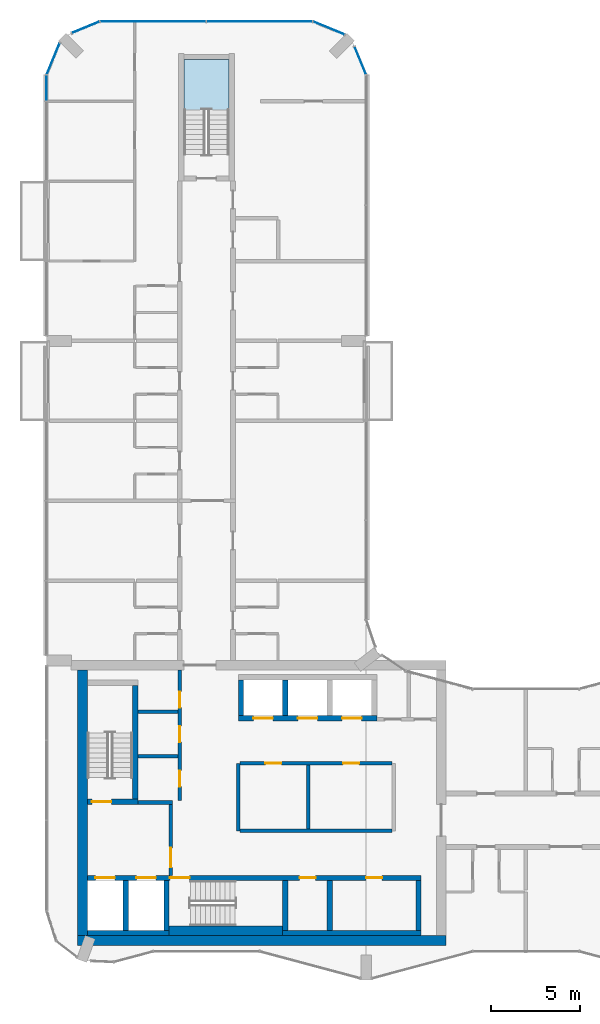
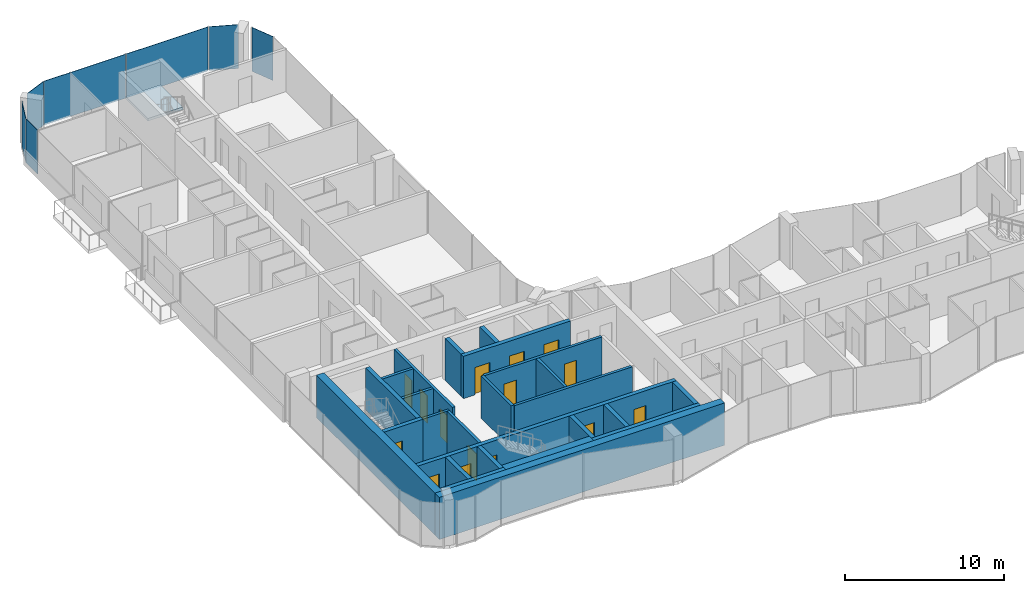
# One storey, part 9 of 15: 25 walls, 15 doors, 7 plates, 1 slab, 15 openings, 7 elements without a shape of their own.
"""IFC4 building model written with IfcOpenShell, lengths in metres."""

from ifc_helpers import new_model, si_unit, direction, frame, frame_2d, origin, origin_2d, place, context, subcontext, project, spatial, polyline, rectangle, outline, extrude, material, layer, layer_set, type_object, element, fill, aggregate, save


model = new_model("IFC4")

# Units and contexts
model_context = context("Model", 3, precision=1e-05, world=origin(), true_north=direction((0.0, 1.0)))
body_context = subcontext(model_context, "Body", "Model", "MODEL_VIEW")
ifc_project = project(units=[si_unit("LENGTHUNIT", "METRE"), si_unit("AREAUNIT", "SQUARE_METRE"), si_unit("VOLUMEUNIT", "CUBIC_METRE"), si_unit("PLANEANGLEUNIT", "RADIAN"), si_unit("MASSUNIT", "GRAM", prefix="KILO")], contexts=[model_context])

# Site, building, storey
site_placement = place(None, origin())
site = spatial("IfcSite", under=ifc_project, at=site_placement, CompositionType="ELEMENT")
building_placement = place(site_placement, origin())
building = spatial("IfcBuilding", under=site, at=building_placement, Name="Plateau Cross Towers", CompositionType="ELEMENT")
storey_placement = place(building_placement, frame((0.0, 0.0, 197.89990234375)))
storey = spatial("IfcBuildingStorey", under=building, at=storey_placement, Name="L51", CompositionType="ELEMENT", Elevation=197.89990234375)

# Curtain wall, plate
ifc_material_1 = material(Name="Dark low-iron glass", Category="glass")
ifc_layer_1 = layer(ifc_material_1, 0.239990234375)
ifc_layer_set_1 = layer_set([ifc_layer_1], Name="Dark low-iron glass")
curtain_wall_type = type_object("IfcCurtainWallType", Name="Curtain wall flush unitised CW-B", PredefinedType="NOTDEFINED", material=ifc_layer_set_1)
curtain_wall_1_placement = place(storey_placement, origin())
curtain_wall_1 = element("IfcCurtainWall", 1, at=curtain_wall_1_placement, inside=storey, type_object=curtain_wall_type, Name="ENV/A/L51/A180_510", PredefinedType="NOTDEFINED")
ifc_layer_2 = layer(ifc_material_1, 0.031982421875)
ifc_layer_set_2 = layer_set([ifc_layer_2], Name="Dark low-iron glass")
plate_type = type_object("IfcPlateType", Name="Glass panel 32 flush unitised", PredefinedType="CURTAIN_PANEL", material=ifc_layer_set_2)
plate_1_placement = place(storey_placement, frame((17.66943359375, 51.79833984375, -0.1298828125), z_axis=(0.0, 0.0, 1.0), x_axis=(-0.382683612978, 0.923879457699, 0.0)))
plate_1 = element("IfcPlate", 2, at=plate_1_placement, type_object=plate_type, Name="CW-B panel 1", PredefinedType="CURTAIN_PANEL", context=body_context, shape_type="SweptSolid", body=[
    extrude(rectangle(XDim=1.668212890625, YDim=0.031982421875, at=origin_2d()), origin(), (0.0, 0.0, 1.0), 3.3798828125),
])
aggregate(curtain_wall_1, [plate_1])

curtain_wall_2_placement = place(storey_placement, origin())
curtain_wall_2 = element("IfcCurtainWall", 3, at=curtain_wall_2_placement, inside=storey, type_object=curtain_wall_type, Name="ENV/A/L51/A168_533", PredefinedType="NOTDEFINED")
plate_2_placement = place(storey_placement, frame((15.90283203125, 53.6259765625, -0.1298828125), z_axis=(0.0, 0.0, 1.0), x_axis=(-0.923879457699, 0.382683612978, 0.0)))
plate_2 = element("IfcPlate", 4, at=plate_2_placement, type_object=plate_type, Name="CW-B panel 1", PredefinedType="CURTAIN_PANEL", context=body_context, shape_type="SweptSolid", body=[
    extrude(rectangle(XDim=1.894775390625, YDim=0.031982421875, at=origin_2d()), origin(), (0.0, 0.0, 1.0), 3.3798828125),
])
aggregate(curtain_wall_2, [plate_2])

# Curtain wall, plates
curtain_wall_3_placement = place(storey_placement, origin())
curtain_wall_3 = element("IfcCurtainWall", 5, at=curtain_wall_3_placement, inside=storey, type_object=curtain_wall_type, Name="ENV/A/L51/A150_540", PredefinedType="NOTDEFINED")
plate_3_placement = place(storey_placement, frame((12.0, 54.0, -0.1298828125), z_axis=(0.0, 0.0, 1.0), x_axis=(-1.0, 0.0, 0.0)))
plate_3 = element("IfcPlate", 6, at=plate_3_placement, type_object=plate_type, Name="CW-B panel 1", PredefinedType="CURTAIN_PANEL", context=body_context, shape_type="SweptSolid", body=[
    extrude(rectangle(XDim=5.93994140625, YDim=0.031982421875, at=origin_2d()), origin(), (0.0, 0.0, 1.0), 3.3798828125),
])
plate_4_placement = place(storey_placement, frame((6.0, 54.0, -0.1298828125), z_axis=(0.0, 0.0, 1.0), x_axis=(-1.0, 0.0, 0.0)))
plate_4 = element("IfcPlate", 7, at=plate_4_placement, type_object=plate_type, Name="CW-B panel 2", PredefinedType="CURTAIN_PANEL", context=body_context, shape_type="SweptSolid", body=[
    extrude(rectangle(XDim=5.93994140625, YDim=0.031982421875, at=origin_2d()), origin(), (0.0, 0.0, 1.0), 3.3798828125),
])
aggregate(curtain_wall_3, [plate_3, plate_4])

# Curtain wall, plate
curtain_wall_4_placement = place(storey_placement, origin())
curtain_wall_4 = element("IfcCurtainWall", 8, at=curtain_wall_4_placement, inside=storey, type_object=curtain_wall_type, Name="ENV/A/L51/A30_540", PredefinedType="NOTDEFINED")
plate_5_placement = place(storey_placement, frame((2.20166015625, 53.66943359375, -0.1298828125), z_axis=(0.0, 0.0, 1.0), x_axis=(-0.923879457699, -0.382683612978, 0.0)))
plate_5 = element("IfcPlate", 9, at=plate_5_placement, type_object=plate_type, Name="CW-B panel 1", PredefinedType="CURTAIN_PANEL", context=body_context, shape_type="SweptSolid", body=[
    extrude(rectangle(XDim=1.668212890625, YDim=0.031982421875, at=origin_2d()), origin(), (0.0, 0.0, 1.0), 3.3798828125),
])
aggregate(curtain_wall_4, [plate_5])

curtain_wall_5_placement = place(storey_placement, origin())
curtain_wall_5 = element("IfcCurtainWall", 10, at=curtain_wall_5_placement, inside=storey, type_object=curtain_wall_type, Name="ENV/A/L51/A7_528", PredefinedType="NOTDEFINED")
plate_6_placement = place(storey_placement, frame((0.3740234375, 51.90283203125, -0.1298828125), z_axis=(0.0, 0.0, 1.0), x_axis=(-0.382683612978, -0.923879457699, 0.0)))
plate_6 = element("IfcPlate", 11, at=plate_6_placement, type_object=plate_type, Name="CW-B panel 1", PredefinedType="CURTAIN_PANEL", context=body_context, shape_type="SweptSolid", body=[
    extrude(rectangle(XDim=1.894775390625, YDim=0.031982421875, at=origin_2d()), origin(), (0.0, 0.0, 1.0), 3.3798828125),
])
aggregate(curtain_wall_5, [plate_6])

curtain_wall_6_placement = place(storey_placement, origin())
curtain_wall_6 = element("IfcCurtainWall", 12, at=curtain_wall_6_placement, inside=storey, type_object=curtain_wall_type, Name="ENV/A/L51/A0_510", PredefinedType="NOTDEFINED")
plate_7_placement = place(storey_placement, frame((0.0, 50.25, -0.1298828125), z_axis=(0.0, 0.0, 1.0), x_axis=(0.0, -1.0, 0.0)))
plate_7 = element("IfcPlate", 13, at=plate_7_placement, type_object=plate_type, Name="CW-B panel 1", PredefinedType="CURTAIN_PANEL", context=body_context, shape_type="SweptSolid", body=[
    extrude(rectangle(XDim=1.43994140625, YDim=0.031982421875, at=origin_2d()), origin(), (0.0, 0.0, 1.0), 3.3798828125),
])
aggregate(curtain_wall_6, [plate_7])

# Stair, slab
ifc_material_2 = material(Name="Concrete C40/50", Category="concrete")
stair_type = type_object("IfcStairType", Name="ST-TWR", PredefinedType="HALF_TURN_STAIR", material=ifc_material_2)
stair_placement = place(storey_placement, origin())
stair = element("IfcStair", 14, at=stair_placement, inside=storey, type_object=stair_type, Name="L51 Protected Exit Stair N", PredefinedType="HALF_TURN_STAIR")
ifc_layer_3 = layer(ifc_material_2, 0.199951171875)
ifc_layer_set_3 = layer_set([ifc_layer_3], Name="Concrete C40/50")
slab_type = type_object("IfcSlabType", Name="SL-LANDING", PredefinedType="LANDING", material=ifc_layer_set_3)
slab_placement = place(storey_placement, frame((0.0, 0.0, 1.550048828125)))
slab = element("IfcSlab", 15, at=slab_placement, type_object=slab_type, Name="ES-N landing 1", PredefinedType="LANDING", context=body_context, shape_type="SweptSolid", body=[
    extrude(outline(polyline([(10.27490234375, 49.02001953125), (10.27490234375, 51.85009765625), (7.72509765625, 51.85009765625), (7.72509765625, 49.02001953125), (10.27490234375, 49.02001953125)])), origin(), (0.0, 0.0, 1.0), 0.199951171875),
])
aggregate(stair, [slab])

# Wall, opening, door
ifc_material_3 = material(Name="Concrete block, plastered both sides", Category="concrete")
ifc_layer_4 = layer(ifc_material_3, 0.199951171875)
ifc_layer_set_4 = layer_set([ifc_layer_4], Name="Concrete block, plastered both sides")
wall_type_1 = type_object("IfcWallType", Name="Core partition 200", PredefinedType="PARTITIONING", material=ifc_layer_set_4)
wall_1_placement = place(storey_placement, frame((7.0, 5.89990234375, 0.0), z_axis=(0.0, 0.0, 1.0), x_axis=(0.0, 1.0, 0.0)))
wall_1 = element("IfcWall", 16, at=wall_1_placement, inside=storey, type_object=wall_type_1, Name="Core partition", PredefinedType="PARTITIONING", context=body_context, shape_type="SweptSolid", body=[
    extrude(rectangle(XDim=4.0, YDim=0.199951171875, at=frame_2d((2.0, 0.0))), origin(), (0.0, 0.0, 1.0), 3.25),
])
opening_1_placement = place(wall_1_placement, frame((0.449951171875, 0.0, 0.0)))
opening_1 = element("IfcOpeningElement", 17, at=opening_1_placement, cuts=wall_1, Name="Opening FFD", PredefinedType="OPENING", context=body_context, shape_type="SweptSolid", body=[
    extrude(rectangle(XDim=1.10009765625, YDim=2.10009765625, at=frame_2d((0.550048828125, 1.050048828125))), frame((0.0, 0.10986328125, 0.0), z_axis=(0.0, -1.0, 0.0), x_axis=(1.0, 0.0, 0.0)), (0.0, 0.0, 1.0), 0.219970703125),
])
ifc_material_4 = material(Name="Steel, fire-resisting leaf", Category="steel")
door_type_1 = type_object("IfcDoorType", Name="Firefighting lobby door 1100", OperationType="NOTDEFINED", PredefinedType="DOOR", material=ifc_material_4)
door_1_placement = place(opening_1_placement, origin())
door_1 = element("IfcDoor", 18, at=door_1_placement, inside=storey, type_object=door_type_1, Name="Firefighting lobby door FFD", OperationType="SINGLE_SWING_LEFT", OverallHeight=2.10009765625, OverallWidth=1.10009765625, PredefinedType="DOOR", context=body_context, shape_type="SweptSolid", body=[
    extrude(rectangle(XDim=1.10009765625, YDim=2.10009765625, at=frame_2d((0.550048828125, 1.050048828125))), frame((0.0, 0.02490234375, 0.0), z_axis=(0.0, -1.0, 0.0), x_axis=(1.0, 0.0, 0.0)), (0.0, 0.0, 1.0), 0.050048828125),
])
fill(opening_1, door_1)

# Walls
wall_2_placement = place(storey_placement, frame((5.14990234375, 10.0, 0.0), z_axis=(0.0, 0.0, 1.0), x_axis=(1.0, 0.0, 0.0)))
element("IfcWall", 19, at=wall_2_placement, inside=storey, type_object=wall_type_1, Name="Core partition", PredefinedType="PARTITIONING", context=body_context, shape_type="SweptSolid", body=[
    extrude(rectangle(XDim=1.9501953125, YDim=0.199951171875, at=frame_2d((0.97509765625, 0.0))), origin(), (0.0, 0.0, 1.0), 3.25),
])
wall_3_placement = place(storey_placement, frame((10.800048828125, 8.39990234375, 0.0), z_axis=(0.0, 0.0, 1.0), x_axis=(0.0, 1.0, 0.0)))
element("IfcWall", 20, at=wall_3_placement, inside=storey, type_object=wall_type_1, Name="Core partition", PredefinedType="PARTITIONING", context=body_context, shape_type="SweptSolid", body=[
    extrude(rectangle(XDim=3.800048828125, YDim=0.199951171875, at=frame_2d((1.89990234375, 0.0))), origin(), (0.0, 0.0, 1.0), 3.25),
])
wall_4_placement = place(storey_placement, frame((10.89990234375, 8.39990234375, 0.0), z_axis=(0.0, 0.0, 1.0), x_axis=(1.0, 0.0, 0.0)))
element("IfcWall", 21, at=wall_4_placement, inside=storey, type_object=wall_type_1, Name="Core partition", PredefinedType="PARTITIONING", context=body_context, shape_type="SweptSolid", body=[
    extrude(rectangle(XDim=8.550048828125, YDim=0.199951171875, at=frame_2d((4.27490234375, 0.0))), origin(), (0.0, 0.0, 1.0), 3.25),
])

# Wall, openings, doors
wall_5_placement = place(storey_placement, frame((10.89990234375, 12.199951171875, 0.0), z_axis=(0.0, 0.0, 1.0), x_axis=(1.0, 0.0, 0.0)))
wall_5 = element("IfcWall", 22, at=wall_5_placement, inside=storey, type_object=wall_type_1, Name="Core partition", PredefinedType="PARTITIONING", context=body_context, shape_type="SweptSolid", body=[
    extrude(rectangle(XDim=8.550048828125, YDim=0.199951171875, at=frame_2d((4.27490234375, 0.0))), origin(), (0.0, 0.0, 1.0), 3.25),
])
opening_2_placement = place(wall_5_placement, frame((1.425048828125, 0.0, 0.0)))
opening_2 = element("IfcOpeningElement", 23, at=opening_2_placement, cuts=wall_5, Name="Opening RD1", PredefinedType="OPENING", context=body_context, shape_type="SweptSolid", body=[
    extrude(rectangle(XDim=0.89990234375, YDim=2.10009765625, at=frame_2d((0.449951171875, 1.050048828125))), frame((0.0, 0.10986328125, 0.0), z_axis=(0.0, -1.0, 0.0), x_axis=(1.0, 0.0, 0.0)), (0.0, 0.0, 1.0), 0.219970703125),
])
opening_3_placement = place(wall_5_placement, frame((5.800048828125, 0.0, 0.0)))
opening_3 = element("IfcOpeningElement", 24, at=opening_3_placement, cuts=wall_5, Name="Opening RD1", PredefinedType="OPENING", context=body_context, shape_type="SweptSolid", body=[
    extrude(rectangle(XDim=0.89990234375, YDim=2.10009765625, at=frame_2d((0.449951171875, 1.050048828125))), frame((0.0, 0.10986328125, 0.0), z_axis=(0.0, -1.0, 0.0), x_axis=(1.0, 0.0, 0.0)), (0.0, 0.0, 1.0), 0.219970703125),
])
ifc_material_5 = material(Name="Timber, fire-resisting leaf", Category="wood")
door_type_2 = type_object("IfcDoorType", Name="Core service door 900", OperationType="NOTDEFINED", PredefinedType="DOOR", material=ifc_material_5)
door_2_placement = place(opening_2_placement, origin())
door_2 = element("IfcDoor", 25, at=door_2_placement, inside=storey, type_object=door_type_2, Name="Core service door RD1", OperationType="SINGLE_SWING_LEFT", OverallHeight=2.10009765625, OverallWidth=0.89990234375, PredefinedType="DOOR", context=body_context, shape_type="SweptSolid", body=[
    extrude(rectangle(XDim=0.89990234375, YDim=2.10009765625, at=frame_2d((0.449951171875, 1.050048828125))), frame((0.0, 0.02490234375, 0.0), z_axis=(0.0, -1.0, 0.0), x_axis=(1.0, 0.0, 0.0)), (0.0, 0.0, 1.0), 0.050048828125),
])
fill(opening_2, door_2)
door_3_placement = place(opening_3_placement, origin())
door_3 = element("IfcDoor", 26, at=door_3_placement, inside=storey, type_object=door_type_2, Name="Core service door RD1", OperationType="SINGLE_SWING_LEFT", OverallHeight=2.10009765625, OverallWidth=0.89990234375, PredefinedType="DOOR", context=body_context, shape_type="SweptSolid", body=[
    extrude(rectangle(XDim=0.89990234375, YDim=2.10009765625, at=frame_2d((0.449951171875, 1.050048828125))), frame((0.0, 0.02490234375, 0.0), z_axis=(0.0, -1.0, 0.0), x_axis=(1.0, 0.0, 0.0)), (0.0, 0.0, 1.0), 0.050048828125),
])
fill(opening_3, door_3)

# Wall
wall_6_placement = place(storey_placement, frame((14.75, 8.5, 0.0), z_axis=(0.0, 0.0, 1.0), x_axis=(0.0, 1.0, 0.0)))
element("IfcWall", 27, at=wall_6_placement, inside=storey, type_object=wall_type_1, Name="Core partition", PredefinedType="PARTITIONING", context=body_context, shape_type="SweptSolid", body=[
    extrude(rectangle(XDim=3.60009765625, YDim=0.199951171875, at=frame_2d((1.800048828125, 0.0))), origin(), (0.0, 0.0, 1.0), 3.25),
])

# Wall, openings, doors
wall_7_placement = place(storey_placement, frame((7.5, 10.10009765625, 0.0), z_axis=(0.0, 0.0, 1.0), x_axis=(0.0, 1.0, 0.0)))
wall_7 = element("IfcWall", 28, at=wall_7_placement, inside=storey, type_object=wall_type_1, Name="Core partition", PredefinedType="PARTITIONING", context=body_context, shape_type="SweptSolid", body=[
    extrude(rectangle(XDim=7.349853515625, YDim=0.199951171875, at=frame_2d((3.6748046875, 0.0))), origin(), (0.0, 0.0, 1.0), 3.25),
])
opening_4_placement = place(wall_7_placement, frame((0.800048828125, 0.0, 0.0)))
opening_4 = element("IfcOpeningElement", 29, at=opening_4_placement, cuts=wall_7, Name="Opening RD1", PredefinedType="OPENING", context=body_context, shape_type="SweptSolid", body=[
    extrude(rectangle(XDim=0.89990234375, YDim=2.10009765625, at=frame_2d((0.449951171875, 1.050048828125))), frame((0.0, 0.10986328125, 0.0), z_axis=(0.0, -1.0, 0.0), x_axis=(1.0, 0.0, 0.0)), (0.0, 0.0, 1.0), 0.219970703125),
])
opening_5_placement = place(wall_7_placement, frame((3.300048828125, 0.0, 0.0)))
opening_5 = element("IfcOpeningElement", 30, at=opening_5_placement, cuts=wall_7, Name="Opening RD1", PredefinedType="OPENING", context=body_context, shape_type="SweptSolid", body=[
    extrude(rectangle(XDim=0.89990234375, YDim=2.10009765625, at=frame_2d((0.449951171875, 1.050048828125))), frame((0.0, 0.10986328125, 0.0), z_axis=(0.0, -1.0, 0.0), x_axis=(1.0, 0.0, 0.0)), (0.0, 0.0, 1.0), 0.219970703125),
])
opening_6_placement = place(wall_7_placement, frame((5.25, 0.0, 0.0)))
opening_6 = element("IfcOpeningElement", 31, at=opening_6_placement, cuts=wall_7, Name="Opening RD1", PredefinedType="OPENING", context=body_context, shape_type="SweptSolid", body=[
    extrude(rectangle(XDim=0.89990234375, YDim=2.10009765625, at=frame_2d((0.449951171875, 1.050048828125))), frame((0.0, 0.10986328125, 0.0), z_axis=(0.0, -1.0, 0.0), x_axis=(1.0, 0.0, 0.0)), (0.0, 0.0, 1.0), 0.219970703125),
])
door_4_placement = place(opening_4_placement, origin())
door_4 = element("IfcDoor", 32, at=door_4_placement, inside=storey, type_object=door_type_2, Name="Core service door RD1", OperationType="SINGLE_SWING_RIGHT", OverallHeight=2.10009765625, OverallWidth=0.89990234375, PredefinedType="DOOR", context=body_context, shape_type="SweptSolid", body=[
    extrude(rectangle(XDim=0.89990234375, YDim=2.10009765625, at=frame_2d((0.449951171875, 1.050048828125))), frame((0.0, 0.02490234375, 0.0), z_axis=(0.0, -1.0, 0.0), x_axis=(1.0, 0.0, 0.0)), (0.0, 0.0, 1.0), 0.050048828125),
])
fill(opening_4, door_4)
door_5_placement = place(opening_5_placement, origin())
door_5 = element("IfcDoor", 33, at=door_5_placement, inside=storey, type_object=door_type_2, Name="Core service door RD1", OperationType="SINGLE_SWING_RIGHT", OverallHeight=2.10009765625, OverallWidth=0.89990234375, PredefinedType="DOOR", context=body_context, shape_type="SweptSolid", body=[
    extrude(rectangle(XDim=0.89990234375, YDim=2.10009765625, at=frame_2d((0.449951171875, 1.050048828125))), frame((0.0, 0.02490234375, 0.0), z_axis=(0.0, -1.0, 0.0), x_axis=(1.0, 0.0, 0.0)), (0.0, 0.0, 1.0), 0.050048828125),
])
fill(opening_5, door_5)
door_6_placement = place(opening_6_placement, origin())
door_6 = element("IfcDoor", 34, at=door_6_placement, inside=storey, type_object=door_type_2, Name="Core service door RD1", OperationType="SINGLE_SWING_RIGHT", OverallHeight=2.10009765625, OverallWidth=0.89990234375, PredefinedType="DOOR", context=body_context, shape_type="SweptSolid", body=[
    extrude(rectangle(XDim=0.89990234375, YDim=2.10009765625, at=frame_2d((0.449951171875, 1.050048828125))), frame((0.0, 0.02490234375, 0.0), z_axis=(0.0, -1.0, 0.0), x_axis=(1.0, 0.0, 0.0)), (0.0, 0.0, 1.0), 0.050048828125),
])
fill(opening_6, door_6)

# Walls
for number, where, z_axis, x_axis, name in (
    (35, (5.14990234375, 12.60009765625, 0.0), (0.0, 0.0, 1.0), (1.0, 0.0, 0.0), "Core partition"),
    (36, (5.14990234375, 15.10009765625, 0.0), (0.0, 0.0, 1.0), (1.0, 0.0, 0.0), "Core partition"),
):
    element("IfcWall", number, at=place(storey_placement, frame(where, z_axis=z_axis, x_axis=x_axis)), inside=storey, type_object=wall_type_1, Name=name, PredefinedType="PARTITIONING", context=body_context, shape_type="SweptSolid", body=[
        extrude(rectangle(XDim=2.25, YDim=0.199951171875, at=frame_2d((1.125, 0.0))), origin(), (0.0, 0.0, 1.0), 3.25),
    ])
ifc_material_6 = material(Name="Concrete C60/75", Category="concrete")
ifc_layer_5 = layer(ifc_material_6, 0.300048828125)
ifc_layer_set_5 = layer_set([ifc_layer_5], Name="Concrete C60/75")
wall_type_2 = type_object("IfcWallType", Name="Core shaft wall 300", PredefinedType="SHEAR", material=ifc_layer_set_5)
wall_8_placement = place(storey_placement, frame((2.300048828125, 2.64990234375, 0.0), z_axis=(0.0, 0.0, 1.0), x_axis=(1.0, 0.0, 0.0)))
element("IfcWall", 37, at=wall_8_placement, inside=storey, type_object=wall_type_2, Name="A-sb-back1@L51", PredefinedType="SHEAR", context=body_context, shape_type="SweptSolid", body=[
    extrude(rectangle(XDim=4.599853515625, YDim=0.300048828125, at=frame_2d((2.2998046875, 0.0))), origin(), (0.0, 0.0, 1.0), 3.25),
])
wall_9_placement = place(storey_placement, frame((13.300048828125, 2.64990234375, 0.0), z_axis=(0.0, 0.0, 1.0), x_axis=(1.0, 0.0, 0.0)))
element("IfcWall", 38, at=wall_9_placement, inside=storey, type_object=wall_type_2, Name="A-sb-back3@L51", PredefinedType="SHEAR", context=body_context, shape_type="SweptSolid", body=[
    extrude(rectangle(XDim=7.800048828125, YDim=0.300048828125, at=frame_2d((3.89990234375, 0.0))), origin(), (0.0, 0.0, 1.0), 3.25),
])
for number, where, z_axis, x_axis, name in (
    (39, (4.449951171875, 2.800048828125, 0.0), (0.0, 0.0, 1.0), (0.0, 1.0, 0.0), "A-sb-v1@L51"),
    (40, (6.75, 2.800048828125, 0.0), (0.0, 0.0, 1.0), (0.0, 1.0, 0.0), "A-sb-v2@L51"),
    (41, (13.449951171875, 2.800048828125, 0.0), (0.0, 0.0, 1.0), (0.0, 1.0, 0.0), "A-sb-v3@L51"),
    (42, (15.949951171875, 2.800048828125, 0.0), (0.0, 0.0, 1.0), (0.0, 1.0, 0.0), "A-sb-v4@L51"),
    (43, (20.949951171875, 2.800048828125, 0.0), (0.0, 0.0, 1.0), (0.0, 1.0, 0.0), "A-sb-v6@L51"),
):
    element("IfcWall", number, at=place(storey_placement, frame(where, z_axis=z_axis, x_axis=x_axis)), inside=storey, type_object=wall_type_2, Name=name, PredefinedType="SHEAR", context=body_context, shape_type="SweptSolid", body=[
        extrude(rectangle(XDim=2.800048828125, YDim=0.300048828125, at=frame_2d((1.39990234375, 0.0))), origin(), (0.0, 0.0, 1.0), 3.25),
    ])

# Wall, openings, doors
wall_10_placement = place(storey_placement, frame((2.300048828125, 5.75, 0.0), z_axis=(0.0, 0.0, 1.0), x_axis=(1.0, 0.0, 0.0)))
wall_10 = element("IfcWall", 44, at=wall_10_placement, inside=storey, type_object=wall_type_2, Name="A-sb-front@L51", PredefinedType="SHEAR", context=body_context, shape_type="SweptSolid", body=[
    extrude(rectangle(XDim=18.800048828125, YDim=0.300048828125, at=frame_2d((9.39990234375, 0.0))), origin(), (0.0, 0.0, 1.0), 3.25),
])
opening_7_placement = place(wall_10_placement, frame((4.64990234375, 0.0, 0.0)))
opening_7 = element("IfcOpeningElement", 45, at=opening_7_placement, cuts=wall_10, Name="Opening SD", PredefinedType="OPENING", context=body_context, shape_type="SweptSolid", body=[
    extrude(rectangle(XDim=1.10009765625, YDim=2.10009765625, at=frame_2d((0.550048828125, 1.050048828125))), frame((0.0, 0.159912109375, 0.0), z_axis=(0.0, -1.0, 0.0), x_axis=(1.0, 0.0, 0.0)), (0.0, 0.0, 1.0), 0.320068359375),
])
opening_8_placement = place(wall_10_placement, frame((0.449951171875, 0.0, 0.0)))
opening_8 = element("IfcOpeningElement", 46, at=opening_8_placement, cuts=wall_10, Name="Opening LD", PredefinedType="OPENING", context=body_context, shape_type="SweptSolid", body=[
    extrude(rectangle(XDim=1.10009765625, YDim=2.10009765625, at=frame_2d((0.550048828125, 1.050048828125))), frame((0.0, 0.159912109375, 0.0), z_axis=(0.0, -1.0, 0.0), x_axis=(1.0, 0.0, 0.0)), (0.0, 0.0, 1.0), 0.320068359375),
])
opening_9_placement = place(wall_10_placement, frame((2.75, 0.0, 0.0)))
opening_9 = element("IfcOpeningElement", 47, at=opening_9_placement, cuts=wall_10, Name="Opening LD", PredefinedType="OPENING", context=body_context, shape_type="SweptSolid", body=[
    extrude(rectangle(XDim=1.10009765625, YDim=2.10009765625, at=frame_2d((0.550048828125, 1.050048828125))), frame((0.0, 0.159912109375, 0.0), z_axis=(0.0, -1.0, 0.0), x_axis=(1.0, 0.0, 0.0)), (0.0, 0.0, 1.0), 0.320068359375),
])
opening_10_placement = place(wall_10_placement, frame((11.949951171875, 0.0, 0.0)))
opening_10 = element("IfcOpeningElement", 48, at=opening_10_placement, cuts=wall_10, Name="Opening RD2", PredefinedType="OPENING", context=body_context, shape_type="SweptSolid", body=[
    extrude(rectangle(XDim=0.89990234375, YDim=2.10009765625, at=frame_2d((0.449951171875, 1.050048828125))), frame((0.0, 0.159912109375, 0.0), z_axis=(0.0, -1.0, 0.0), x_axis=(1.0, 0.0, 0.0)), (0.0, 0.0, 1.0), 0.320068359375),
])
opening_11_placement = place(wall_10_placement, frame((15.699951171875, 0.0, 0.0)))
opening_11 = element("IfcOpeningElement", 49, at=opening_11_placement, cuts=wall_10, Name="Opening RD2", PredefinedType="OPENING", context=body_context, shape_type="SweptSolid", body=[
    extrude(rectangle(XDim=0.89990234375, YDim=2.10009765625, at=frame_2d((0.449951171875, 1.050048828125))), frame((0.0, 0.159912109375, 0.0), z_axis=(0.0, -1.0, 0.0), x_axis=(1.0, 0.0, 0.0)), (0.0, 0.0, 1.0), 0.320068359375),
])
door_type_3 = type_object("IfcDoorType", Name="Core riser door 900", OperationType="NOTDEFINED", PredefinedType="DOOR", material=ifc_material_4)
door_7_placement = place(opening_10_placement, origin())
door_7 = element("IfcDoor", 50, at=door_7_placement, inside=storey, type_object=door_type_3, Name="Core riser door RD2", OperationType="SINGLE_SWING_LEFT", OverallHeight=2.10009765625, OverallWidth=0.89990234375, PredefinedType="DOOR", context=body_context, shape_type="SweptSolid", body=[
    extrude(rectangle(XDim=0.89990234375, YDim=2.10009765625, at=frame_2d((0.449951171875, 1.050048828125))), frame((0.0, 0.02490234375, 0.0), z_axis=(0.0, -1.0, 0.0), x_axis=(1.0, 0.0, 0.0)), (0.0, 0.0, 1.0), 0.050048828125),
])
fill(opening_10, door_7)
door_8_placement = place(opening_11_placement, origin())
door_8 = element("IfcDoor", 51, at=door_8_placement, inside=storey, type_object=door_type_3, Name="Core riser door RD2", OperationType="SINGLE_SWING_LEFT", OverallHeight=2.10009765625, OverallWidth=0.89990234375, PredefinedType="DOOR", context=body_context, shape_type="SweptSolid", body=[
    extrude(rectangle(XDim=0.89990234375, YDim=2.10009765625, at=frame_2d((0.449951171875, 1.050048828125))), frame((0.0, 0.02490234375, 0.0), z_axis=(0.0, -1.0, 0.0), x_axis=(1.0, 0.0, 0.0)), (0.0, 0.0, 1.0), 0.050048828125),
])
fill(opening_11, door_8)
ifc_material_7 = material(Name="Stainless steel, fire-resisting sliding leaves", Category="steel")
door_type_4 = type_object("IfcDoorType", Name="Lift landing door 1100", OperationType="NOTDEFINED", PredefinedType="DOOR", material=ifc_material_7)
door_9_placement = place(opening_8_placement, origin())
door_9 = element("IfcDoor", 52, at=door_9_placement, inside=storey, type_object=door_type_4, Name="Lift landing door LD", OperationType="DOUBLE_DOOR_SLIDING", OverallHeight=2.10009765625, OverallWidth=1.10009765625, PredefinedType="DOOR", context=body_context, shape_type="SweptSolid", body=[
    extrude(rectangle(XDim=1.10009765625, YDim=2.10009765625, at=frame_2d((0.550048828125, 1.050048828125))), frame((0.0, 0.02490234375, 0.0), z_axis=(0.0, -1.0, 0.0), x_axis=(1.0, 0.0, 0.0)), (0.0, 0.0, 1.0), 0.050048828125),
])
fill(opening_8, door_9)
door_10_placement = place(opening_9_placement, origin())
door_10 = element("IfcDoor", 53, at=door_10_placement, inside=storey, type_object=door_type_4, Name="Lift landing door LD", OperationType="DOUBLE_DOOR_SLIDING", OverallHeight=2.10009765625, OverallWidth=1.10009765625, PredefinedType="DOOR", context=body_context, shape_type="SweptSolid", body=[
    extrude(rectangle(XDim=1.10009765625, YDim=2.10009765625, at=frame_2d((0.550048828125, 1.050048828125))), frame((0.0, 0.02490234375, 0.0), z_axis=(0.0, -1.0, 0.0), x_axis=(1.0, 0.0, 0.0)), (0.0, 0.0, 1.0), 0.050048828125),
])
fill(opening_9, door_10)
door_type_5 = type_object("IfcDoorType", Name="Stair door 1100", OperationType="NOTDEFINED", PredefinedType="DOOR", material=ifc_material_4)
door_11_placement = place(opening_7_placement, origin())
door_11 = element("IfcDoor", 54, at=door_11_placement, inside=storey, type_object=door_type_5, Name="Stair door SD", OperationType="SINGLE_SWING_LEFT", OverallHeight=2.10009765625, OverallWidth=1.10009765625, PredefinedType="DOOR", context=body_context, shape_type="SweptSolid", body=[
    extrude(rectangle(XDim=1.10009765625, YDim=2.10009765625, at=frame_2d((0.550048828125, 1.050048828125))), frame((0.0, 0.02490234375, 0.0), z_axis=(0.0, -1.0, 0.0), x_axis=(1.0, 0.0, 0.0)), (0.0, 0.0, 1.0), 0.050048828125),
])
fill(opening_7, door_11)

# Wall, opening, door
wall_11_placement = place(storey_placement, frame((2.300048828125, 10.050048828125, 0.0), z_axis=(0.0, 0.0, 1.0), x_axis=(1.0, 0.0, 0.0)))
wall_11 = element("IfcWall", 55, at=wall_11_placement, inside=storey, type_object=wall_type_2, Name="A-st1-S@L51", PredefinedType="SHEAR", context=body_context, shape_type="SweptSolid", body=[
    extrude(rectangle(XDim=2.849853515625, YDim=0.300048828125, at=frame_2d((1.4248046875, 0.0))), origin(), (0.0, 0.0, 1.0), 3.25),
])
opening_12_placement = place(wall_11_placement, frame((0.25, 0.0, 0.0)))
opening_12 = element("IfcOpeningElement", 56, at=opening_12_placement, cuts=wall_11, Name="Opening SD", PredefinedType="OPENING", context=body_context, shape_type="SweptSolid", body=[
    extrude(rectangle(XDim=1.10009765625, YDim=2.10009765625, at=frame_2d((0.550048828125, 1.050048828125))), frame((0.0, 0.159912109375, 0.0), z_axis=(0.0, -1.0, 0.0), x_axis=(1.0, 0.0, 0.0)), (0.0, 0.0, 1.0), 0.320068359375),
])
door_12_placement = place(opening_12_placement, origin())
door_12 = element("IfcDoor", 57, at=door_12_placement, inside=storey, type_object=door_type_5, Name="Stair door SD", OperationType="SINGLE_SWING_RIGHT", OverallHeight=2.10009765625, OverallWidth=1.10009765625, PredefinedType="DOOR", context=body_context, shape_type="SweptSolid", body=[
    extrude(rectangle(XDim=1.10009765625, YDim=2.10009765625, at=frame_2d((0.550048828125, 1.050048828125))), frame((0.0, 0.02490234375, 0.0), z_axis=(0.0, -1.0, 0.0), x_axis=(1.0, 0.0, 0.0)), (0.0, 0.0, 1.0), 0.050048828125),
])
fill(opening_12, door_12)

# Wall
wall_12_placement = place(storey_placement, frame((5.0, 10.199951171875, 0.0), z_axis=(0.0, 0.0, 1.0), x_axis=(0.0, 1.0, 0.0)))
element("IfcWall", 58, at=wall_12_placement, inside=storey, type_object=wall_type_2, Name="A-st1-E@L51", PredefinedType="SHEAR", context=body_context, shape_type="SweptSolid", body=[
    extrude(rectangle(XDim=6.400146484375, YDim=0.300048828125, at=frame_2d((3.2001953125, 0.0))), origin(), (0.0, 0.0, 1.0), 3.25),
])

# Wall, openings, doors
wall_13_placement = place(storey_placement, frame((10.800048828125, 14.75, 0.0), z_axis=(0.0, 0.0, 1.0), x_axis=(1.0, 0.0, 0.0)))
wall_13 = element("IfcWall", 59, at=wall_13_placement, inside=storey, type_object=wall_type_2, Name="A-nb-front@L51", PredefinedType="SHEAR", context=body_context, shape_type="SweptSolid", body=[
    extrude(rectangle(XDim=7.800048828125, YDim=0.300048828125, at=frame_2d((3.89990234375, 0.0))), origin(), (0.0, 0.0, 1.0), 3.25),
])
opening_13_placement = place(wall_13_placement, frame((0.85009765625, 0.0, 0.0)))
opening_13 = element("IfcOpeningElement", 60, at=opening_13_placement, cuts=wall_13, Name="Opening LD", PredefinedType="OPENING", context=body_context, shape_type="SweptSolid", body=[
    extrude(rectangle(XDim=1.10009765625, YDim=2.10009765625, at=frame_2d((0.550048828125, 1.050048828125))), frame((0.0, 0.159912109375, 0.0), z_axis=(0.0, -1.0, 0.0), x_axis=(1.0, 0.0, 0.0)), (0.0, 0.0, 1.0), 0.320068359375),
])
opening_14_placement = place(wall_13_placement, frame((3.35009765625, 0.0, 0.0)))
opening_14 = element("IfcOpeningElement", 61, at=opening_14_placement, cuts=wall_13, Name="Opening LD", PredefinedType="OPENING", context=body_context, shape_type="SweptSolid", body=[
    extrude(rectangle(XDim=1.10009765625, YDim=2.10009765625, at=frame_2d((0.550048828125, 1.050048828125))), frame((0.0, 0.159912109375, 0.0), z_axis=(0.0, -1.0, 0.0), x_axis=(1.0, 0.0, 0.0)), (0.0, 0.0, 1.0), 0.320068359375),
])
opening_15_placement = place(wall_13_placement, frame((5.85009765625, 0.0, 0.0)))
opening_15 = element("IfcOpeningElement", 62, at=opening_15_placement, cuts=wall_13, Name="Opening LD", PredefinedType="OPENING", context=body_context, shape_type="SweptSolid", body=[
    extrude(rectangle(XDim=1.10009765625, YDim=2.10009765625, at=frame_2d((0.550048828125, 1.050048828125))), frame((0.0, 0.159912109375, 0.0), z_axis=(0.0, -1.0, 0.0), x_axis=(1.0, 0.0, 0.0)), (0.0, 0.0, 1.0), 0.320068359375),
])
door_13_placement = place(opening_13_placement, origin())
door_13 = element("IfcDoor", 63, at=door_13_placement, inside=storey, type_object=door_type_4, Name="Lift landing door LD", OperationType="DOUBLE_DOOR_SLIDING", OverallHeight=2.10009765625, OverallWidth=1.10009765625, PredefinedType="DOOR", context=body_context, shape_type="SweptSolid", body=[
    extrude(rectangle(XDim=1.10009765625, YDim=2.10009765625, at=frame_2d((0.550048828125, 1.050048828125))), frame((0.0, 0.02490234375, 0.0), z_axis=(0.0, -1.0, 0.0), x_axis=(1.0, 0.0, 0.0)), (0.0, 0.0, 1.0), 0.050048828125),
])
fill(opening_13, door_13)
door_14_placement = place(opening_14_placement, origin())
door_14 = element("IfcDoor", 64, at=door_14_placement, inside=storey, type_object=door_type_4, Name="Lift landing door LD", OperationType="DOUBLE_DOOR_SLIDING", OverallHeight=2.10009765625, OverallWidth=1.10009765625, PredefinedType="DOOR", context=body_context, shape_type="SweptSolid", body=[
    extrude(rectangle(XDim=1.10009765625, YDim=2.10009765625, at=frame_2d((0.550048828125, 1.050048828125))), frame((0.0, 0.02490234375, 0.0), z_axis=(0.0, -1.0, 0.0), x_axis=(1.0, 0.0, 0.0)), (0.0, 0.0, 1.0), 0.050048828125),
])
fill(opening_14, door_14)
door_15_placement = place(opening_15_placement, origin())
door_15 = element("IfcDoor", 65, at=door_15_placement, inside=storey, type_object=door_type_4, Name="Lift landing door LD", OperationType="DOUBLE_DOOR_SLIDING", OverallHeight=2.10009765625, OverallWidth=1.10009765625, PredefinedType="DOOR", context=body_context, shape_type="SweptSolid", body=[
    extrude(rectangle(XDim=1.10009765625, YDim=2.10009765625, at=frame_2d((0.550048828125, 1.050048828125))), frame((0.0, 0.02490234375, 0.0), z_axis=(0.0, -1.0, 0.0), x_axis=(1.0, 0.0, 0.0)), (0.0, 0.0, 1.0), 0.050048828125),
])
fill(opening_15, door_15)

# Walls
for number, where, z_axis, x_axis, name in (
    (66, (10.949951171875, 14.89990234375, 0.0), (0.0, 0.0, 1.0), (0.0, 1.0, 0.0), "A-nb-v1@L51"),
    (67, (13.449951171875, 14.89990234375, 0.0), (0.0, 0.0, 1.0), (0.0, 1.0, 0.0), "A-nb-v2@L51"),
):
    element("IfcWall", number, at=place(storey_placement, frame(where, z_axis=z_axis, x_axis=x_axis)), inside=storey, type_object=wall_type_2, Name=name, PredefinedType="SHEAR", context=body_context, shape_type="SweptSolid", body=[
        extrude(rectangle(XDim=2.0, YDim=0.300048828125, at=frame_2d((1.0, 0.0))), origin(), (0.0, 0.0, 1.0), 3.25),
    ])
ifc_layer_6 = layer(ifc_material_6, 0.550048828125)
ifc_layer_set_6 = layer_set([ifc_layer_6], Name="Concrete C60/75")
wall_type_3 = type_object("IfcWallType", Name="Core shaft wall 550", PredefinedType="SHEAR", material=ifc_layer_set_6)
wall_14_placement = place(storey_placement, frame((6.89990234375, 2.77490234375, 0.0), z_axis=(0.0, 0.0, 1.0), x_axis=(1.0, 0.0, 0.0)))
element("IfcWall", 68, at=wall_14_placement, inside=storey, type_object=wall_type_3, Name="A-sb-back2@L51", PredefinedType="SHEAR", context=body_context, shape_type="SweptSolid", body=[
    extrude(rectangle(XDim=6.400146484375, YDim=0.550048828125, at=frame_2d((3.2001953125, 0.0))), origin(), (0.0, 0.0, 1.0), 3.25),
])
ifc_layer_7 = layer(ifc_material_6, 0.550048828125)
ifc_layer_set_7 = layer_set([ifc_layer_7], Name="Concrete C60/75")
wall_type_4 = type_object("IfcWallType", Name="Core shell wall 550", PredefinedType="SHEAR", material=ifc_layer_set_7)
wall_15_placement = place(storey_placement, frame((1.75, 2.22509765625, 0.0), z_axis=(0.0, 0.0, 1.0), x_axis=(1.0, 0.0, 0.0)))
element("IfcWall", 69, at=wall_15_placement, inside=storey, type_object=wall_type_4, Name="A-core-S@L51", PredefinedType="SHEAR", context=body_context, shape_type="SweptSolid", body=[
    extrude(rectangle(XDim=20.75, YDim=0.550048828125, at=frame_2d((10.375, 0.0))), origin(), (0.0, 0.0, 1.0), 3.25),
])
wall_16_placement = place(storey_placement, frame((2.02490234375, 2.5, 0.0), z_axis=(0.0, 0.0, 1.0), x_axis=(0.0, 1.0, 0.0)))
element("IfcWall", 70, at=wall_16_placement, inside=storey, type_object=wall_type_4, Name="A-core-W@L51", PredefinedType="SHEAR", context=body_context, shape_type="SweptSolid", body=[
    extrude(rectangle(XDim=14.949951171875, YDim=0.550048828125, at=frame_2d((7.47509765625, 0.0))), origin(), (0.0, 0.0, 1.0), 3.25),
])

save(model, "model.ifc")
